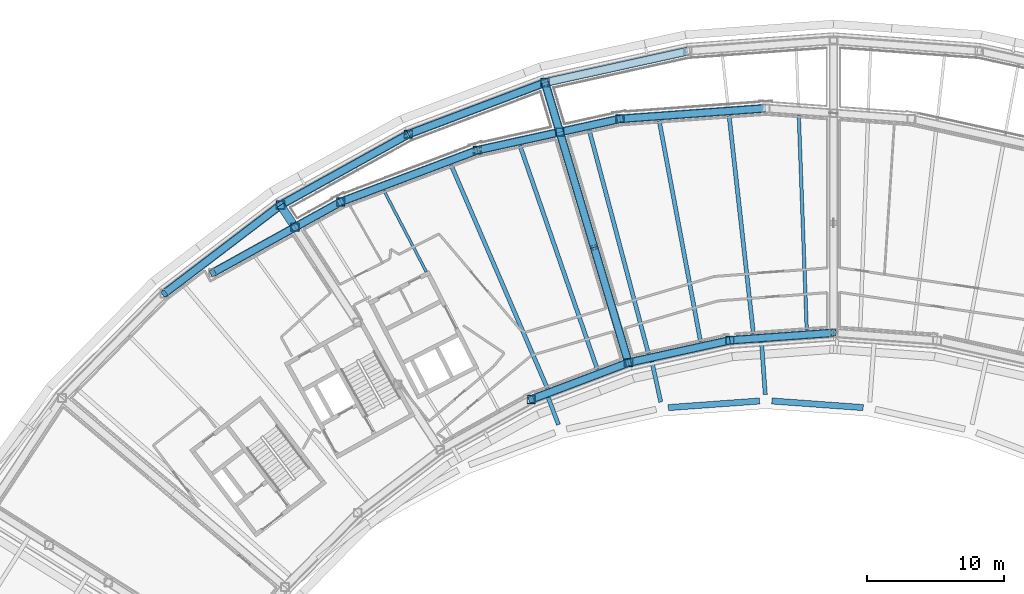
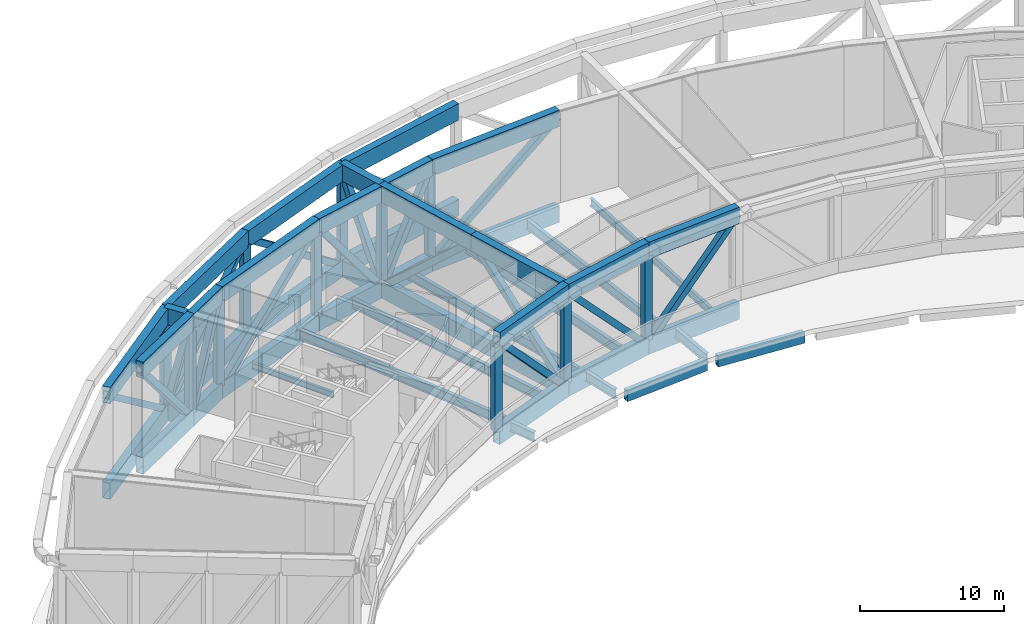
# One storey, part 2 of 27: 46 beams, 27 members.
"""IFC4 building model written with IfcOpenShell, lengths in metres."""

from ifc_helpers import new_model, si_unit, direction, frame, origin, origin_2d, place, context, subcontext, project, spatial, hollow_rectangle, i_section, extrude, material, material_profile, profile_set, type_object, element, save


model = new_model("IFC4")

# Units and contexts
model_context = context("Model", 3, precision=1e-05, world=origin(), true_north=direction((0.0, 1.0)))
body_context = subcontext(model_context, "Body", "Model", "MODEL_VIEW")
ifc_project = project(units=[si_unit("LENGTHUNIT", "METRE"), si_unit("AREAUNIT", "SQUARE_METRE"), si_unit("VOLUMEUNIT", "CUBIC_METRE"), si_unit("PLANEANGLEUNIT", "RADIAN"), si_unit("MASSUNIT", "GRAM", prefix="KILO")], contexts=[model_context])

# Site, building, storey
site_placement = place(None, origin())
site = spatial("IfcSite", under=ifc_project, at=site_placement, CompositionType="ELEMENT")
building_placement = place(site_placement, origin())
building = spatial("IfcBuilding", under=site, at=building_placement, Name="Tuul Gate Civic Tower", CompositionType="ELEMENT")
storey_placement = place(building_placement, frame((0.0, 0.0, 201.5)))
storey = spatial("IfcBuildingStorey", under=building, at=storey_placement, Name="Wind floor 1", CompositionType="ELEMENT", Elevation=201.5)

# Beams
ifc_material_1 = material(Name="Steel S355", Category="steel")
ifc_material_profile_1 = material_profile(ifc_material_1, i_section(OverallWidth=0.199951171875, OverallDepth=0.5, WebThickness=0.010009765625, FlangeThickness=0.01611328125, at=origin_2d()), Name="PG500x200x10x16")
ifc_profile_set_1 = profile_set([ifc_material_profile_1], Name="Steel S355")
beam_type_1 = type_object("IfcBeamType", Name="STR-FLOOR BEAM-PG500x200x10x16", PredefinedType="BEAM", material=ifc_profile_set_1)
beam_1_placement = place(storey_placement, frame((-23.810546875, 1.661376953125, -0.64990234375), z_axis=(-0.462718125157, 0.886505463408, 0.0), x_axis=(-0.886505463408, -0.462718125157, 0.0)))
element("IfcBeam", 1, at=beam_1_placement, inside=storey, type_object=beam_type_1, Name="Floor beam", PredefinedType="BEAM", context=body_context, shape_type="SweptSolid", body=[
    extrude(i_section(OverallWidth=0.199951171875, OverallDepth=0.5, WebThickness=0.010009765625, FlangeThickness=0.01611328125, at=origin_2d()), origin(), (0.0, 0.0, 1.0), 6.69140625),
])
ifc_material_2 = material(Name="Steel S355", Category="steel")
ifc_material_profile_2 = material_profile(ifc_material_2, i_section(OverallWidth=0.25, OverallDepth=0.64990234375, WebThickness=0.011962890625, FlangeThickness=0.02001953125, at=origin_2d()), Name="PG650x250x12x20")
ifc_profile_set_2 = profile_set([ifc_material_profile_2], Name="Steel S355")
beam_type_2 = type_object("IfcBeamType", Name="STR-FLOOR BEAM-PG650x250x12x20", PredefinedType="BEAM", material=ifc_profile_set_2)
beam_2_placement = place(storey_placement, frame((3.986572265625, -2.580810546875, -0.72509765625), z_axis=(-0.03699150635, 0.999315580014, 0.0), x_axis=(-0.999315580014, -0.03699150635, 0.0)))
element("IfcBeam", 2, at=beam_2_placement, inside=storey, type_object=beam_type_2, Name="Floor beam", PredefinedType="BEAM", context=body_context, shape_type="SweptSolid", body=[
    extrude(i_section(OverallWidth=0.25, OverallDepth=0.64990234375, WebThickness=0.011962890625, FlangeThickness=0.02001953125, at=origin_2d()), origin(), (0.0, 0.0, 1.0), 15.681396484375),
])
ifc_material_3 = material(Name="Steel S355", Category="steel")
ifc_material_profile_3 = material_profile(ifc_material_3, i_section(OverallWidth=0.300048828125, OverallDepth=0.800048828125, WebThickness=0.013916015625, FlangeThickness=0.02490234375, at=origin_2d()), Name="PG800x300x14x25")
ifc_profile_set_3 = profile_set([ifc_material_profile_3], Name="Steel S355")
beam_type_3 = type_object("IfcBeamType", Name="STR-FLOOR BEAM-PG800x300x14x25", PredefinedType="BEAM", material=ifc_profile_set_3)
beam_3_placement = place(storey_placement, frame((0.090576171875, -2.86328125, -0.800048828125), z_axis=(-0.110794189602, 0.993843371739, 0.0), x_axis=(-0.993843371739, -0.110794189602, 0.0)))
element("IfcBeam", 3, at=beam_3_placement, inside=storey, type_object=beam_type_3, Name="Floor beam", PredefinedType="BEAM", context=body_context, shape_type="SweptSolid", body=[
    extrude(i_section(OverallWidth=0.300048828125, OverallDepth=0.800048828125, WebThickness=0.013916015625, FlangeThickness=0.02490234375, at=origin_2d()), origin(), (0.0, 0.0, 1.0), 16.032958984375),
])
beam_4_placement = place(storey_placement, frame((-3.77099609375, -3.451904296875, -0.800048828125), z_axis=(-0.183981755266, 0.982929658587, 0.0), x_axis=(-0.982929658587, -0.183981755266, 0.0)))
element("IfcBeam", 4, at=beam_4_placement, inside=storey, type_object=beam_type_3, Name="Floor beam", PredefinedType="BEAM", context=body_context, shape_type="SweptSolid", body=[
    extrude(i_section(OverallWidth=0.300048828125, OverallDepth=0.800048828125, WebThickness=0.013916015625, FlangeThickness=0.02490234375, at=origin_2d()), origin(), (0.0, 0.0, 1.0), 16.433349609375),
])
beam_5_placement = place(storey_placement, frame((-7.5859375, -4.292724609375, -0.800048828125), z_axis=(-0.256147879477, 0.966637607296, 0.0), x_axis=(-0.966637607296, -0.256147879477, 0.0)))
element("IfcBeam", 5, at=beam_5_placement, inside=storey, type_object=beam_type_3, Name="Floor beam", PredefinedType="BEAM", context=body_context, shape_type="SweptSolid", body=[
    extrude(i_section(OverallWidth=0.300048828125, OverallDepth=0.800048828125, WebThickness=0.013916015625, FlangeThickness=0.02490234375, at=origin_2d()), origin(), (0.0, 0.0, 1.0), 16.846435546875),
])
beam_6_placement = place(storey_placement, frame((-11.314697265625, -5.45654296875, -0.800048828125), z_axis=(-0.326925694363, 0.945050046487, 0.0), x_axis=(-0.945050046487, -0.326925694363, 0.0)))
element("IfcBeam", 6, at=beam_6_placement, inside=storey, type_object=beam_type_3, Name="Floor beam", PredefinedType="BEAM", context=body_context, shape_type="SweptSolid", body=[
    extrude(i_section(OverallWidth=0.300048828125, OverallDepth=0.800048828125, WebThickness=0.013916015625, FlangeThickness=0.02490234375, at=origin_2d()), origin(), (0.0, 0.0, 1.0), 17.281982421875),
])
beam_7_placement = place(storey_placement, frame((-14.96875, -6.83837890625, -0.800048828125), z_axis=(-0.395923196326, 0.918283628631, 0.0), x_axis=(-0.918283628631, -0.395923196326, 0.0)))
element("IfcBeam", 7, at=beam_7_placement, inside=storey, type_object=beam_type_3, Name="Floor beam", PredefinedType="BEAM", context=body_context, shape_type="SweptSolid", body=[
    extrude(i_section(OverallWidth=0.300048828125, OverallDepth=0.800048828125, WebThickness=0.013916015625, FlangeThickness=0.02490234375, at=origin_2d()), origin(), (0.0, 0.0, 1.0), 17.739501953125),
])
beam_8_placement = place(storey_placement, frame((-14.1552734375, -9.502197265625, -0.800048828125), z_axis=(-0.353572236429, 0.93540722342, 0.0), x_axis=(-0.93540722342, -0.353572236429, 0.0)))
element("IfcBeam", 8, at=beam_8_placement, inside=storey, type_object=beam_type_3, Name="Terrace beam", PredefinedType="BEAM", context=body_context, shape_type="SweptSolid", body=[
    extrude(i_section(OverallWidth=0.300048828125, OverallDepth=0.800048828125, WebThickness=0.013916015625, FlangeThickness=0.02490234375, at=origin_2d()), origin(), (0.0, 0.0, 1.0), 2.12939453125),
])
beam_9_placement = place(storey_placement, frame((-6.678955078125, -7.849609375, -0.800048828125), z_axis=(-0.215208906071, 0.976568034879, 0.0), x_axis=(-0.976568034879, -0.215208906071, 0.0)))
element("IfcBeam", 9, at=beam_9_placement, inside=storey, type_object=beam_type_3, Name="Terrace beam", PredefinedType="BEAM", context=body_context, shape_type="SweptSolid", body=[
    extrude(i_section(OverallWidth=0.300048828125, OverallDepth=0.800048828125, WebThickness=0.013916015625, FlangeThickness=0.02490234375, at=origin_2d()), origin(), (0.0, 0.0, 1.0), 3.018798828125),
])
beam_10_placement = place(storey_placement, frame((0.95751953125, -7.291259765625, -0.800048828125), z_axis=(-0.072302756286, 0.997382730667, 0.0), x_axis=(-0.997382730667, -0.072302756286, 0.0)))
element("IfcBeam", 10, at=beam_10_placement, inside=storey, type_object=beam_type_3, Name="Terrace beam", PredefinedType="BEAM", context=body_context, shape_type="SweptSolid", body=[
    extrude(i_section(OverallWidth=0.300048828125, OverallDepth=0.800048828125, WebThickness=0.013916015625, FlangeThickness=0.02490234375, at=origin_2d()), origin(), (0.0, 0.0, 1.0), 3.8291015625),
])
ifc_material_4 = material(Name="Steel S355", Category="steel")
ifc_material_profile_4 = material_profile(ifc_material_4, hollow_rectangle(XDim=0.449951171875, YDim=0.89990234375, WallThickness=0.02490234375, at=origin_2d()), Name="BOX900x450x25")
ifc_profile_set_4 = profile_set([ifc_material_profile_4], Name="Steel S355")
beam_type_4 = type_object("IfcBeamType", Name="STR-SPANDREL BEAM-BOX900x450x25", PredefinedType="BEAM", material=ifc_profile_set_4)
beam_11_placement = place(storey_placement, frame((-6.133056640625, -8.25634765625, -0.85009765625), z_axis=(0.997382203544, 0.07231002734, 0.0), x_axis=(-0.07231002734, 0.997382203544, 0.0)))
element("IfcBeam", 11, at=beam_11_placement, inside=storey, type_object=beam_type_4, Name="Terrace edge beam", PredefinedType="BEAM", context=body_context, shape_type="SweptSolid", body=[
    extrude(hollow_rectangle(XDim=0.449951171875, YDim=0.89990234375, WallThickness=0.02490234375, at=origin_2d()), origin(), (0.0, 0.0, 1.0), 6.69189453125),
])
beam_12_placement = place(storey_placement, frame((1.438720703125, -7.7724609375, -0.85009765625), z_axis=(0.997382394296, -0.072307396229, 0.0), x_axis=(0.072307396229, 0.997382394296, 0.0)))
element("IfcBeam", 12, at=beam_12_placement, inside=storey, type_object=beam_type_4, Name="Terrace edge beam", PredefinedType="BEAM", context=body_context, shape_type="SweptSolid", body=[
    extrude(hollow_rectangle(XDim=0.449951171875, YDim=0.89990234375, WallThickness=0.02490234375, at=origin_2d()), origin(), (0.0, 0.0, 1.0), 6.692138671875),
])
ifc_material_5 = material(Name="Steel S460", Category="steel")
ifc_material_profile_5 = material_profile(ifc_material_5, hollow_rectangle(XDim=0.60009765625, YDim=1.39990234375, WallThickness=0.031982421875, at=origin_2d()), Name="BOX1400x600x32")
ifc_profile_set_5 = profile_set([ifc_material_profile_5], Name="Steel S460")
beam_type_5 = type_object("IfcBeamType", Name="STR-TRANSFER TRUSS CHORD-BOX1400x600x32", PredefinedType="BEAM", material=ifc_profile_set_5)
beam_13_placement = place(storey_placement, frame((-15.136962890625, 15.49609375, -1.10009765625), z_axis=(0.285201305099, -0.958467639292, 0.0), x_axis=(0.958467639292, 0.285201305099, 0.0)))
element("IfcBeam", 13, at=beam_13_placement, inside=storey, type_object=beam_type_5, Name="Radial truss bottom chord", PredefinedType="BEAM", context=body_context, shape_type="SweptSolid", body=[
    extrude(hollow_rectangle(XDim=0.60009765625, YDim=1.39990234375, WallThickness=0.031982421875, at=origin_2d()), origin(), (0.0, 0.0, 1.0), 3.778564453125),
])
beam_14_placement = place(storey_placement, frame((-14.059326171875, 11.87451171875, -1.10009765625), z_axis=(0.285201342945, -0.95846762803, 0.0), x_axis=(0.95846762803, 0.285201342945, 0.0)))
element("IfcBeam", 14, at=beam_14_placement, inside=storey, type_object=beam_type_5, Name="Radial truss bottom chord", PredefinedType="BEAM", context=body_context, shape_type="SweptSolid", body=[
    extrude(hollow_rectangle(XDim=0.60009765625, YDim=1.39990234375, WallThickness=0.031982421875, at=origin_2d()), origin(), (0.0, 0.0, 1.0), 8.788818359375),
])
beam_15_placement = place(storey_placement, frame((-11.552734375, 3.45068359375, -1.10009765625), z_axis=(0.285234455763, -0.958457774367, 0.0), x_axis=(0.958457774367, 0.285234455763, 0.0)))
element("IfcBeam", 15, at=beam_15_placement, inside=storey, type_object=beam_type_5, Name="Radial truss bottom chord", PredefinedType="BEAM", context=body_context, shape_type="SweptSolid", body=[
    extrude(hollow_rectangle(XDim=0.60009765625, YDim=1.39990234375, WallThickness=0.031982421875, at=origin_2d()), origin(), (0.0, 0.0, 1.0), 8.78857421875),
])
beam_16_placement = place(storey_placement, frame((-15.136962890625, 15.49609375, 7.0), z_axis=(0.285201305099, -0.958467639292, 0.0), x_axis=(0.958467639292, 0.285201305099, 0.0)))
element("IfcBeam", 16, at=beam_16_placement, inside=storey, type_object=beam_type_5, Name="Radial truss top chord", PredefinedType="BEAM", context=body_context, shape_type="SweptSolid", body=[
    extrude(hollow_rectangle(XDim=0.60009765625, YDim=1.39990234375, WallThickness=0.031982421875, at=origin_2d()), origin(), (0.0, 0.0, 1.0), 3.778564453125),
])
beam_17_placement = place(storey_placement, frame((-14.059326171875, 11.87451171875, 7.0), z_axis=(0.285201342945, -0.95846762803, 0.0), x_axis=(0.95846762803, 0.285201342945, 0.0)))
element("IfcBeam", 17, at=beam_17_placement, inside=storey, type_object=beam_type_5, Name="Radial truss top chord", PredefinedType="BEAM", context=body_context, shape_type="SweptSolid", body=[
    extrude(hollow_rectangle(XDim=0.60009765625, YDim=1.39990234375, WallThickness=0.031982421875, at=origin_2d()), origin(), (0.0, 0.0, 1.0), 8.788818359375),
])
beam_18_placement = place(storey_placement, frame((-11.552734375, 3.45068359375, 7.0), z_axis=(0.285234455763, -0.958457774367, 0.0), x_axis=(0.958457774367, 0.285234455763, 0.0)))
element("IfcBeam", 18, at=beam_18_placement, inside=storey, type_object=beam_type_5, Name="Radial truss top chord", PredefinedType="BEAM", context=body_context, shape_type="SweptSolid", body=[
    extrude(hollow_rectangle(XDim=0.60009765625, YDim=1.39990234375, WallThickness=0.031982421875, at=origin_2d()), origin(), (0.0, 0.0, 1.0), 8.78857421875),
])
for number, where, z_axis, x_axis, name in (
    (19, (0.989990234375, 13.615966796875, -1.10009765625), (-0.997383171444, -0.072296675717, 0.0), (0.072296675717, -0.997383171444, 0.0), "Belt truss bottom chord"),
    (20, (0.989990234375, 13.615966796875, 7.0), (-0.997383171444, -0.072296675717, 0.0), (0.072296675717, -0.997383171444, 0.0), "Belt truss top chord"),
):
    element("IfcBeam", number, at=place(storey_placement, frame(where, z_axis=z_axis, x_axis=x_axis)), inside=storey, type_object=beam_type_5, Name=name, PredefinedType="BEAM", context=body_context, shape_type="SweptSolid", body=[
        extrude(hollow_rectangle(XDim=0.60009765625, YDim=1.39990234375, WallThickness=0.031982421875, at=origin_2d()), origin(), (0.0, 0.0, 1.0), 10.677734375),
    ])
for number, where, z_axis, x_axis, name in (
    (21, (-25.1240234375, 11.718994140625, -1.10009765625), (-0.874643264425, -0.484767119342, 0.0), (0.484767119342, -0.874643264425, 0.0), "Belt truss bottom chord"),
    (22, (-25.1240234375, 11.718994140625, 7.0), (-0.874643264425, -0.484767119342, 0.0), (0.484767119342, -0.874643264425, 0.0), "Belt truss top chord"),
):
    element("IfcBeam", number, at=place(storey_placement, frame(where, z_axis=z_axis, x_axis=x_axis)), inside=storey, type_object=beam_type_5, Name=name, PredefinedType="BEAM", context=body_context, shape_type="SweptSolid", body=[
        extrude(hollow_rectangle(XDim=0.60009765625, YDim=1.39990234375, WallThickness=0.031982421875, at=origin_2d()), origin(), (0.0, 0.0, 1.0), 10.67724609375),
    ])
for number, where, z_axis, x_axis, name in (
    (23, (-15.136962890625, 15.49609375, -1.10009765625), (-0.935341677357, -0.353745595873, 0.0), (0.353745595873, -0.935341677357, 0.0), "Belt truss bottom chord"),
    (24, (-15.136962890625, 15.49609375, 7.0), (-0.935341677357, -0.353745595873, 0.0), (0.353745595873, -0.935341677357, 0.0), "Belt truss top chord"),
):
    element("IfcBeam", number, at=place(storey_placement, frame(where, z_axis=z_axis, x_axis=x_axis)), inside=storey, type_object=beam_type_5, Name=name, PredefinedType="BEAM", context=body_context, shape_type="SweptSolid", body=[
        extrude(hollow_rectangle(XDim=0.60009765625, YDim=1.39990234375, WallThickness=0.031982421875, at=origin_2d()), origin(), (0.0, 0.0, 1.0), 10.677490234375),
    ])
for number, where, z_axis, x_axis, name in (
    (25, (-4.7099609375, 17.7939453125, -1.10009765625), (-0.976567537007, -0.215211165288, 0.0), (0.215211165288, -0.976567537007, 0.0), "Belt truss bottom chord"),
    (26, (-4.7099609375, 17.7939453125, 7.0), (-0.976567537007, -0.215211165288, 0.0), (0.215211165288, -0.976567537007, 0.0), "Belt truss top chord"),
):
    element("IfcBeam", number, at=place(storey_placement, frame(where, z_axis=z_axis, x_axis=x_axis)), inside=storey, type_object=beam_type_5, Name=name, PredefinedType="BEAM", context=body_context, shape_type="SweptSolid", body=[
        extrude(hollow_rectangle(XDim=0.60009765625, YDim=1.39990234375, WallThickness=0.031982421875, at=origin_2d()), origin(), (0.0, 0.0, 1.0), 10.67724609375),
    ])
beam_19_placement = place(storey_placement, frame((-9.659912109375, 12.843994140625, -1.10009765625), z_axis=(-0.976568122811, -0.215208507055, 0.0), x_axis=(0.215208507055, -0.976568122811, 0.0)))
element("IfcBeam", 27, at=beam_19_placement, inside=storey, type_object=beam_type_5, Name="Belt truss bottom chord", PredefinedType="BEAM", context=body_context, shape_type="SweptSolid", body=[
    extrude(hollow_rectangle(XDim=0.60009765625, YDim=1.39990234375, WallThickness=0.031982421875, at=origin_2d()), origin(), (0.0, 0.0, 1.0), 4.204345703125),
])
beam_20_placement = place(storey_placement, frame((-14.35302734375, 11.809814453125, -1.10009765625), z_axis=(-0.976556433131, -0.21526154536, 0.0), x_axis=(0.21526154536, -0.976556433131, 0.0)))
element("IfcBeam", 28, at=beam_20_placement, inside=storey, type_object=beam_type_5, Name="Belt truss bottom chord", PredefinedType="BEAM", context=body_context, shape_type="SweptSolid", body=[
    extrude(hollow_rectangle(XDim=0.60009765625, YDim=1.39990234375, WallThickness=0.031982421875, at=origin_2d()), origin(), (0.0, 0.0, 1.0), 5.87158203125),
])
beam_21_placement = place(storey_placement, frame((-9.659912109375, 12.843994140625, 7.0), z_axis=(-0.976568122811, -0.215208507055, 0.0), x_axis=(0.215208507055, -0.976568122811, 0.0)))
element("IfcBeam", 29, at=beam_21_placement, inside=storey, type_object=beam_type_5, Name="Belt truss top chord", PredefinedType="BEAM", context=body_context, shape_type="SweptSolid", body=[
    extrude(hollow_rectangle(XDim=0.60009765625, YDim=1.39990234375, WallThickness=0.031982421875, at=origin_2d()), origin(), (0.0, 0.0, 1.0), 4.204345703125),
])
beam_22_placement = place(storey_placement, frame((-14.35302734375, 11.809814453125, 7.0), z_axis=(-0.976556433131, -0.21526154536, 0.0), x_axis=(0.21526154536, -0.976556433131, 0.0)))
element("IfcBeam", 30, at=beam_22_placement, inside=storey, type_object=beam_type_5, Name="Belt truss top chord", PredefinedType="BEAM", context=body_context, shape_type="SweptSolid", body=[
    extrude(hollow_rectangle(XDim=0.60009765625, YDim=1.39990234375, WallThickness=0.031982421875, at=origin_2d()), origin(), (0.0, 0.0, 1.0), 5.87158203125),
])
for number, where, z_axis, x_axis, name in (
    (31, (-34.462890625, 6.54296875, -1.10009765625), (-0.795632710164, -0.605779324933, 0.0), (0.605779324933, -0.795632710164, 0.0), "Belt truss bottom chord"),
    (32, (-34.462890625, 6.54296875, 7.0), (-0.795632710164, -0.605779324933, 0.0), (0.605779324933, -0.795632710164, 0.0), "Belt truss top chord"),
):
    element("IfcBeam", number, at=place(storey_placement, frame(where, z_axis=z_axis, x_axis=x_axis)), inside=storey, type_object=beam_type_5, Name=name, PredefinedType="BEAM", context=body_context, shape_type="SweptSolid", body=[
        extrude(hollow_rectangle(XDim=0.60009765625, YDim=1.39990234375, WallThickness=0.031982421875, at=origin_2d()), origin(), (0.0, 0.0, 1.0), 10.67724609375),
    ])
beam_23_placement = place(storey_placement, frame((-30.073974609375, 6.77001953125, -1.10009765625), z_axis=(-0.874580214878, -0.48488085933, 0.0), x_axis=(0.48488085933, -0.874580214878, 0.0)))
element("IfcBeam", 33, at=beam_23_placement, inside=storey, type_object=beam_type_5, Name="Belt truss bottom chord", PredefinedType="BEAM", context=body_context, shape_type="SweptSolid", body=[
    extrude(hollow_rectangle(XDim=0.60009765625, YDim=1.39990234375, WallThickness=0.031982421875, at=origin_2d()), origin(), (0.0, 0.0, 1.0), 3.80908203125),
])
beam_24_placement = place(storey_placement, frame((-33.4052734375, 4.923095703125, -1.10009765625), z_axis=(-0.874592874938, -0.484858023661, 0.0), x_axis=(0.484858023661, -0.874592874938, 0.0)))
element("IfcBeam", 34, at=beam_24_placement, inside=storey, type_object=beam_type_5, Name="Belt truss bottom chord", PredefinedType="BEAM", context=body_context, shape_type="SweptSolid", body=[
    extrude(hollow_rectangle(XDim=0.60009765625, YDim=1.39990234375, WallThickness=0.031982421875, at=origin_2d()), origin(), (0.0, 0.0, 1.0), 6.8681640625),
])
beam_25_placement = place(storey_placement, frame((-30.073974609375, 6.77001953125, 7.0), z_axis=(-0.874580214878, -0.48488085933, 0.0), x_axis=(0.48488085933, -0.874580214878, 0.0)))
element("IfcBeam", 35, at=beam_25_placement, inside=storey, type_object=beam_type_5, Name="Belt truss top chord", PredefinedType="BEAM", context=body_context, shape_type="SweptSolid", body=[
    extrude(hollow_rectangle(XDim=0.60009765625, YDim=1.39990234375, WallThickness=0.031982421875, at=origin_2d()), origin(), (0.0, 0.0, 1.0), 3.80908203125),
])
beam_26_placement = place(storey_placement, frame((-33.4052734375, 4.923095703125, 7.0), z_axis=(-0.874592874938, -0.484858023661, 0.0), x_axis=(0.484858023661, -0.874592874938, 0.0)))
element("IfcBeam", 36, at=beam_26_placement, inside=storey, type_object=beam_type_5, Name="Belt truss top chord", PredefinedType="BEAM", context=body_context, shape_type="SweptSolid", body=[
    extrude(hollow_rectangle(XDim=0.60009765625, YDim=1.39990234375, WallThickness=0.031982421875, at=origin_2d()), origin(), (0.0, 0.0, 1.0), 6.8681640625),
])
for number, where, z_axis, x_axis, name in (
    (37, (-20.0869140625, 10.5458984375, -1.10009765625), (-0.93537950072, -0.353645570639, 0.0), (0.353645570639, -0.93537950072, 0.0), "Belt truss bottom chord"),
    (38, (-20.0869140625, 10.5458984375, 7.0), (-0.93537950072, -0.353645570639, 0.0), (0.353645570639, -0.93537950072, 0.0), "Belt truss top chord"),
):
    element("IfcBeam", number, at=place(storey_placement, frame(where, z_axis=z_axis, x_axis=x_axis)), inside=storey, type_object=beam_type_5, Name=name, PredefinedType="BEAM", context=body_context, shape_type="SweptSolid", body=[
        extrude(hollow_rectangle(XDim=0.60009765625, YDim=1.39990234375, WallThickness=0.031982421875, at=origin_2d()), origin(), (0.0, 0.0, 1.0), 10.677001953125),
    ])
for number, where, z_axis, x_axis, name in (
    (39, (-34.462890625, 6.54296875, -1.10009765625), (0.54667344053, -0.837345895923, 0.0), (0.837345895923, 0.54667344053, 0.0), "Radial truss bottom chord"),
    (40, (-34.462890625, 6.54296875, 7.0), (0.54667344053, -0.837345895923, 0.0), (0.837345895923, 0.54667344053, 0.0), "Radial truss top chord"),
):
    element("IfcBeam", number, at=place(storey_placement, frame(where, z_axis=z_axis, x_axis=x_axis)), inside=storey, type_object=beam_type_5, Name=name, PredefinedType="BEAM", context=body_context, shape_type="SweptSolid", body=[
        extrude(hollow_rectangle(XDim=0.60009765625, YDim=1.39990234375, WallThickness=0.031982421875, at=origin_2d()), origin(), (0.0, 0.0, 1.0), 1.633544921875),
    ])
for number, where, z_axis, x_axis, name in (
    (41, (-9.0458984375, -4.972900390625, -1.10009765625), (0.97656841941, 0.215207161152, 0.0), (-0.215207161152, 0.97656841941, 0.0), "Belt truss bottom chord"),
    (42, (-9.0458984375, -4.972900390625, 7.0), (0.97656841941, 0.215207161152, 0.0), (-0.215207161152, 0.97656841941, 0.0), "Belt truss top chord"),
    (43, (-1.632080078125, -3.339111328125, -1.10009765625), (0.997381233603, 0.072323404623, 0.0), (-0.072323404623, 0.997381233603, 0.0), "Belt truss bottom chord"),
    (44, (-1.632080078125, -3.339111328125, 7.0), (0.997381233603, 0.072323404623, 0.0), (-0.072323404623, 0.997381233603, 0.0), "Belt truss top chord"),
    (45, (-16.14697265625, -7.657958984375, -1.10009765625), (0.935366208927, 0.353680724946, 0.0), (-0.353680724946, 0.935366208927, 0.0), "Belt truss bottom chord"),
    (46, (-16.14697265625, -7.657958984375, 7.0), (0.935366208927, 0.353680724946, 0.0), (-0.353680724946, 0.935366208927, 0.0), "Belt truss top chord"),
):
    element("IfcBeam", number, at=place(storey_placement, frame(where, z_axis=z_axis, x_axis=x_axis)), inside=storey, type_object=beam_type_5, Name=name, PredefinedType="BEAM", context=body_context, shape_type="SweptSolid", body=[
        extrude(hollow_rectangle(XDim=0.60009765625, YDim=1.39990234375, WallThickness=0.031982421875, at=origin_2d()), origin(), (0.0, 0.0, 1.0), 7.591796875),
    ])

# Members
ifc_material_6 = material(Name="Steel S355", Category="steel")
ifc_material_profile_6 = material_profile(ifc_material_6, hollow_rectangle(XDim=0.5, YDim=0.5, WallThickness=0.02001953125, at=origin_2d()), Name="BOX500x500x20")
ifc_profile_set_6 = profile_set([ifc_material_profile_6], Name="Steel S355")
member_type_1 = type_object("IfcMemberType", Name="STR-TRANSFER TRUSS DIAGONAL-BOX500x500x20", PredefinedType="BRACE", material=ifc_profile_set_6)
member_1_placement = place(storey_placement, frame((-14.058837890625, 11.872314453125, -1.1044921875), z_axis=(-0.120568792058, 0.405197359326, 0.906244043499), x_axis=(-0.958468671602, -0.285197835823, 0.0)))
element("IfcMember", 47, at=member_1_placement, inside=storey, type_object=member_type_1, Name="Radial truss web", PredefinedType="BRACE", context=body_context, shape_type="SweptSolid", body=[
    extrude(hollow_rectangle(XDim=0.5, YDim=0.5, WallThickness=0.02001953125, at=origin_2d()), origin(), (0.0, 0.0, 1.0), 8.947998046875),
])
member_2_placement = place(storey_placement, frame((-14.060302734375, 11.8779296875, -1.103271484375), z_axis=(0.209730567544, -0.704789408178, 0.677705672957), x_axis=(0.958462557128, 0.285218384022, 0.0)))
element("IfcMember", 48, at=member_2_placement, inside=storey, type_object=member_type_1, Name="Radial truss web", PredefinedType="BRACE", context=body_context, shape_type="SweptSolid", body=[
    extrude(hollow_rectangle(XDim=0.5, YDim=0.5, WallThickness=0.02001953125, at=origin_2d()), origin(), (0.0, 0.0, 1.0), 11.9619140625),
])
member_3_placement = place(storey_placement, frame((-9.044921875, -4.9765625, -1.103271484375), z_axis=(-0.209727550681, 0.704799679609, 0.677695924519), x_axis=(-0.958464814957, -0.285210796586, 0.0)))
element("IfcMember", 49, at=member_3_placement, inside=storey, type_object=member_type_1, Name="Radial truss web", PredefinedType="BRACE", context=body_context, shape_type="SweptSolid", body=[
    extrude(hollow_rectangle(XDim=0.5, YDim=0.5, WallThickness=0.02001953125, at=origin_2d()), origin(), (0.0, 0.0, 1.0), 11.962158203125),
])
member_4_placement = place(storey_placement, frame((-9.6640625, 12.84375, -1.10302734375), z_axis=(0.794628442527, 0.057592587153, 0.604358115881), x_axis=(-0.072287765385, 0.997383817282, 0.0)))
element("IfcMember", 50, at=member_4_placement, inside=storey, type_object=member_type_1, Name="Belt truss web", PredefinedType="BRACE", context=body_context, shape_type="SweptSolid", body=[
    extrude(hollow_rectangle(XDim=0.5, YDim=0.5, WallThickness=0.02001953125, at=origin_2d()), origin(), (0.0, 0.0, 1.0), 13.41259765625),
])
member_5_placement = place(storey_placement, frame((-34.466552734375, 6.541015625, -1.10302734375), z_axis=(0.69682848813, 0.386212743467, 0.604375524748), x_axis=(-0.484765841291, 0.874643972779, 0.0)))
element("IfcMember", 51, at=member_5_placement, inside=storey, type_object=member_type_1, Name="Belt truss web", PredefinedType="BRACE", context=body_context, shape_type="SweptSolid", body=[
    extrude(hollow_rectangle(XDim=0.5, YDim=0.5, WallThickness=0.02001953125, at=origin_2d()), origin(), (0.0, 0.0, 1.0), 13.412109375),
])
member_6_placement = place(storey_placement, frame((-15.13330078125, 15.497314453125, -1.10302734375), z_axis=(-0.745183735892, -0.281821691846, 0.604382109072), x_axis=(0.353738679992, -0.935344292909, 0.0)))
element("IfcMember", 52, at=member_6_placement, inside=storey, type_object=member_type_1, Name="Belt truss web", PredefinedType="BRACE", context=body_context, shape_type="SweptSolid", body=[
    extrude(hollow_rectangle(XDim=0.5, YDim=0.5, WallThickness=0.02001953125, at=origin_2d()), origin(), (0.0, 0.0, 1.0), 13.411865234375),
])
member_7_placement = place(storey_placement, frame((-14.061767578125, 11.8740234375, -1.104248046875), z_axis=(0.474659658444, 0.104594054123, 0.873932659012), x_axis=(-0.215193282556, 0.976571477744, 0.0)))
element("IfcMember", 53, at=member_7_placement, inside=storey, type_object=member_type_1, Name="Belt truss web", PredefinedType="BRACE", context=body_context, shape_type="SweptSolid", body=[
    extrude(hollow_rectangle(XDim=0.5, YDim=0.5, WallThickness=0.02001953125, at=origin_2d()), origin(), (0.0, 0.0, 1.0), 9.2783203125),
])
member_8_placement = place(storey_placement, frame((-14.056396484375, 11.875, -1.10400390625), z_axis=(-0.591888604862, -0.130434400602, 0.795395968417), x_axis=(0.215206275059, -0.976568614679, 0.0)))
element("IfcMember", 54, at=member_8_placement, inside=storey, type_object=member_type_1, Name="Belt truss web", PredefinedType="BRACE", context=body_context, shape_type="SweptSolid", body=[
    extrude(hollow_rectangle(XDim=0.5, YDim=0.5, WallThickness=0.02001953125, at=origin_2d()), origin(), (0.0, 0.0, 1.0), 10.193603515625),
])
member_9_placement = place(storey_placement, frame((-34.459716796875, 6.54541015625, -1.10302734375), z_axis=(-0.633873308424, -0.482622566948, 0.604384055663), x_axis=(0.605782277051, -0.79563046247, 0.0)))
element("IfcMember", 55, at=member_9_placement, inside=storey, type_object=member_type_1, Name="Belt truss web", PredefinedType="BRACE", context=body_context, shape_type="SweptSolid", body=[
    extrude(hollow_rectangle(XDim=0.5, YDim=0.5, WallThickness=0.02001953125, at=origin_2d()), origin(), (0.0, 0.0, 1.0), 13.411865234375),
])
member_10_placement = place(storey_placement, frame((-33.4072265625, 4.922119140625, -1.1044921875), z_axis=(0.372190194295, 0.20632430579, 0.904933555633), x_axis=(-0.48483822328, 0.874603851608, 0.0)))
element("IfcMember", 56, at=member_10_placement, inside=storey, type_object=member_type_1, Name="Belt truss web", PredefinedType="BRACE", context=body_context, shape_type="SweptSolid", body=[
    extrude(hollow_rectangle(XDim=0.5, YDim=0.5, WallThickness=0.02001953125, at=origin_2d()), origin(), (0.0, 0.0, 1.0), 8.9609375),
])
member_11_placement = place(storey_placement, frame((-33.402587890625, 4.9248046875, -1.103759765625), z_axis=(-0.565602259646, -0.313577830381, 0.762733917023), x_axis=(0.484879853966, -0.874580772267, 0.0)))
element("IfcMember", 57, at=member_11_placement, inside=storey, type_object=member_type_1, Name="Belt truss web", PredefinedType="BRACE", context=body_context, shape_type="SweptSolid", body=[
    extrude(hollow_rectangle(XDim=0.5, YDim=0.5, WallThickness=0.02001953125, at=origin_2d()), origin(), (0.0, 0.0, 1.0), 10.629638671875),
])
member_12_placement = place(storey_placement, frame((-30.07763671875, 6.7685546875, -1.10302734375), z_axis=(0.745199025713, 0.281754660087, 0.604394509899), x_axis=(-0.353658718748, 0.935374529616, 0.0)))
element("IfcMember", 58, at=member_12_placement, inside=storey, type_object=member_type_1, Name="Belt truss web", PredefinedType="BRACE", context=body_context, shape_type="SweptSolid", body=[
    extrude(hollow_rectangle(XDim=0.5, YDim=0.5, WallThickness=0.02001953125, at=origin_2d()), origin(), (0.0, 0.0, 1.0), 13.41162109375),
])
member_13_placement = place(storey_placement, frame((-34.463623046875, 6.5439453125, -1.10498046875), z_axis=(0.126990258195, -0.194511479177, 0.972645237891), x_axis=(0.837344691057, 0.546675286033, 0.0)))
element("IfcMember", 59, at=member_13_placement, inside=storey, type_object=member_type_1, Name="Radial truss web", PredefinedType="BRACE", context=body_context, shape_type="SweptSolid", body=[
    extrude(hollow_rectangle(XDim=0.5, YDim=0.5, WallThickness=0.02001953125, at=origin_2d()), origin(), (0.0, 0.0, 1.0), 8.337890625),
])
for number, where, z_axis, x_axis, name in (
    (60, (-1.628662109375, -3.33837890625, -1.103759765625), (-0.667821928664, -0.147164707294, 0.729627590297), (0.215201940422, -0.976569569892, 0.0), "Belt truss web"),
    (61, (-1.635498046875, -3.33935546875, -1.103759765625), (0.682056850322, 0.049457525693, 0.729624839271), (-0.072322433891, 0.997381303994, 0.0), "Belt truss web"),
):
    element("IfcMember", number, at=place(storey_placement, frame(where, z_axis=z_axis, x_axis=x_axis)), inside=storey, type_object=member_type_1, Name=name, PredefinedType="BRACE", context=body_context, shape_type="SweptSolid", body=[
        extrude(hollow_rectangle(XDim=0.5, YDim=0.5, WallThickness=0.02001953125, at=origin_2d()), origin(), (0.0, 0.0, 1.0), 11.11181640625),
    ])
member_14_placement = place(storey_placement, frame((-9.042724609375, -4.9716796875, -1.103759765625), z_axis=(-0.639637915912, -0.241863636245, 0.729633687538), x_axis=(0.353685472239, -0.935364413866, 0.0)))
element("IfcMember", 62, at=member_14_placement, inside=storey, type_object=member_type_1, Name="Belt truss web", PredefinedType="BRACE", context=body_context, shape_type="SweptSolid", body=[
    extrude(hollow_rectangle(XDim=0.5, YDim=0.5, WallThickness=0.02001953125, at=origin_2d()), origin(), (0.0, 0.0, 1.0), 11.111572265625),
])
ifc_material_7 = material(Name="Steel S355", Category="steel")
ifc_material_profile_7 = material_profile(ifc_material_7, hollow_rectangle(XDim=0.60009765625, YDim=0.60009765625, WallThickness=0.028076171875, at=origin_2d()), Name="BOX600x600x28")
ifc_profile_set_7 = profile_set([ifc_material_profile_7], Name="Steel S355")
member_type_2 = type_object("IfcMemberType", Name="STR-TRUSS POST-BOX600x600x28", PredefinedType="POST", material=ifc_profile_set_7)
for number, where, z_axis, x_axis, name in (
    (63, (-15.136962890625, 15.49609375, -0.64501953125), (0.0, 0.0, 1.0), (1.0, 0.0, 0.0), "Radial truss post"),
    (64, (-14.059326171875, 11.87451171875, -0.64501953125), (0.0, 0.0, 1.0), (1.0, 0.0, 0.0), "Radial truss post"),
    (65, (-9.0458984375, -4.972900390625, -0.64501953125), (0.0, 0.0, 1.0), (1.0, 0.0, 0.0), "Radial truss post"),
    (66, (-9.659912109375, 12.843994140625, -0.64501953125), (0.0, 0.0, 1.0), (1.0, 0.0, 0.0), "Belt truss post"),
    (67, (-25.1240234375, 11.718994140625, -0.64501953125), (0.0, 0.0, 1.0), (1.0, 0.0, 0.0), "Belt truss post"),
    (68, (-34.462890625, 6.54296875, -0.64501953125), (0.0, 0.0, 1.0), (1.0, 0.0, 0.0), "Belt truss post"),
    (69, (-20.0869140625, 10.5458984375, -0.64501953125), (0.0, 0.0, 1.0), (1.0, 0.0, 0.0), "Belt truss post"),
    (70, (-30.073974609375, 6.77001953125, -0.64501953125), (0.0, 0.0, 1.0), (1.0, 0.0, 0.0), "Belt truss post"),
    (71, (-33.4052734375, 4.923095703125, -0.64501953125), (0.0, 0.0, 1.0), (1.0, 0.0, 0.0), "Belt truss post"),
    (72, (-16.14697265625, -7.657958984375, -0.64501953125), (0.0, 0.0, 1.0), (1.0, 0.0, 0.0), "Belt truss post"),
    (73, (-1.632080078125, -3.339111328125, -0.64501953125), (0.0, 0.0, 1.0), (1.0, 0.0, 0.0), "Belt truss post"),
):
    element("IfcMember", number, at=place(storey_placement, frame(where, z_axis=z_axis, x_axis=x_axis)), inside=storey, type_object=member_type_2, Name=name, PredefinedType="POST", context=body_context, shape_type="SweptSolid", body=[
        extrude(hollow_rectangle(XDim=0.60009765625, YDim=0.60009765625, WallThickness=0.028076171875, at=origin_2d()), origin(), (0.0, 0.0, 1.0), 7.18994140625),
    ])

save(model, "model.ifc")
